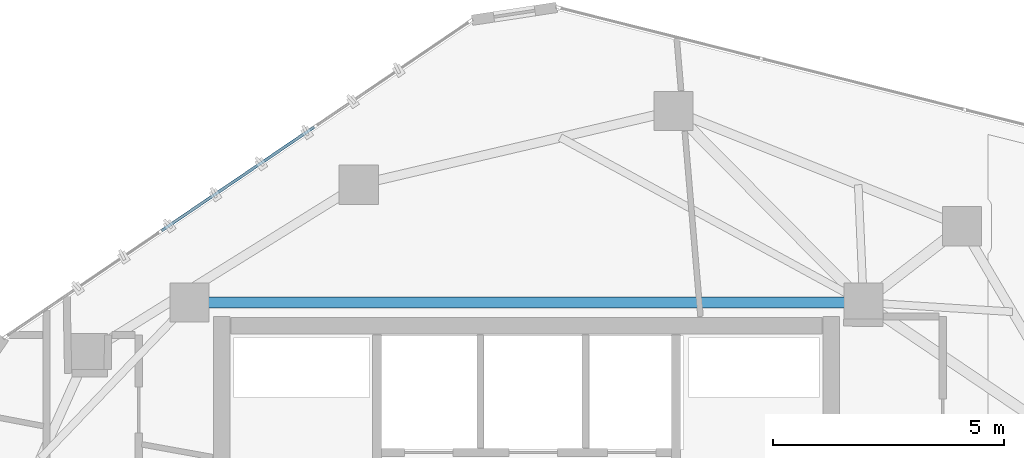
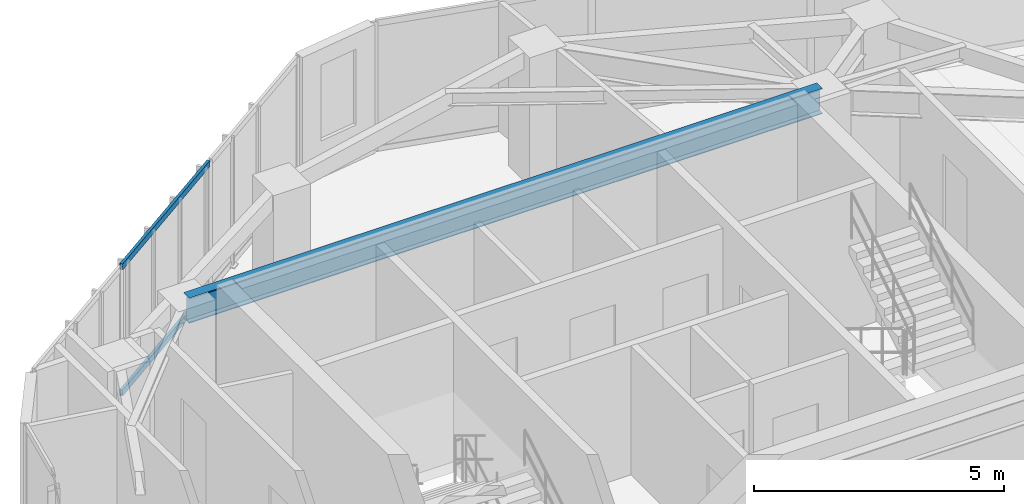
# One storey, part 10 of 20: 2 members, 1 beam, 1 element without a shape of its own.
"""IFC4 building model written with IfcOpenShell, lengths in metres."""

import ifcopenshell
import ifcopenshell.guid

model = None  # the IFC model being written
_history = None  # IfcOwnerHistory: only IFC2X3 demands one
_inside = {}  # id of a spatial element -> (the spatial element, [elements in it])
_under = {}  # id of a project, library or spatial element -> (it, [spatial elements below it])
_declared = {}  # id of a project -> (the project, [libraries it declares])
_typed = {}  # id of a type object -> (the type object, [elements of that type])
_made_of = {}  # id of a material, layer set ... -> (it, [elements and type objects made of it])


def new_model(schema):
    """Start an empty IFC model of exactly this schema.

    Asked for "IFC4X3", IfcOpenShell would pick the latest addendum, in which some entities
    have other attributes; the version numbers below select the first issue.
    IFC2X3 requires an IfcOwnerHistory on every rooted entity: one is made here for all.
    """
    global model, _history
    if schema == "IFC4X3":
        model = ifcopenshell.file(schema_version=(4, 3, 0, 0))
    else:
        model = ifcopenshell.file(schema=schema)
    _inside.clear()
    _under.clear()
    _declared.clear()
    _typed.clear()
    _made_of.clear()
    _history = None
    if model.schema == "IFC2X3":
        org = make("IfcOrganization", Name="unknown")
        user = make(
            "IfcPersonAndOrganization",
            ThePerson=make("IfcPerson", FamilyName="unknown"),
            TheOrganization=org,
        )
        app = make(
            "IfcApplication",
            ApplicationDeveloper=org,
            Version="unknown",
            ApplicationFullName="unknown",
            ApplicationIdentifier="unknown",
        )
        _history = make(
            "IfcOwnerHistory",
            OwningUser=user,
            OwningApplication=app,
            ChangeAction="ADDED",
            CreationDate=0,
        )
    return model


def make(cls, **values):
    """One entity of the class cls with the attributes given. An attribute that is None is left unset."""
    return model.create_entity(
        cls, **{name: value for name, value in values.items() if value is not None}
    )


def rooted(cls, **values):
    """An entity with a GlobalId (a new one), such as an element, a storey or a relation."""
    return make(cls, GlobalId=ifcopenshell.guid.new(), OwnerHistory=_history, **values)


def si_unit(unit_type, name, prefix=None):
    """IfcSIUnit, for example si_unit("LENGTHUNIT", "METRE", prefix="MILLI")."""
    return make("IfcSIUnit", UnitType=unit_type, Prefix=prefix, Name=name)


def assignment(units):
    """IfcUnitAssignment: the units of a project."""
    return None if units is None else make("IfcUnitAssignment", Units=units)


def point(xyz):
    """IfcCartesianPoint."""
    return None if xyz is None else make("IfcCartesianPoint", Coordinates=xyz)


def direction(xyz):
    """IfcDirection."""
    return None if xyz is None else make("IfcDirection", DirectionRatios=xyz)


def frame(location, z_axis=None, x_axis=None):
    """IfcAxis2Placement3D, a coordinate frame: its origin and axes. An axis left out is left unset."""
    return make(
        "IfcAxis2Placement3D",
        Location=point(location),
        Axis=direction(z_axis),
        RefDirection=direction(x_axis),
    )


def frame_2d(location, x_axis=None):
    """IfcAxis2Placement2D, a coordinate frame in the plane: its origin and x axis."""
    return make(
        "IfcAxis2Placement2D", Location=point(location), RefDirection=direction(x_axis)
    )


def origin():
    """The frame at (0, 0, 0) with its axes left unset."""
    return frame((0.0, 0.0, 0.0))


def origin_2d():
    """The frame at (0, 0) in the plane with its x axis left unset."""
    return frame_2d((0.0, 0.0))


def place(relative_to, where):
    """IfcLocalPlacement: puts the frame where relative to a parent placement (None: the world)."""
    return make(
        "IfcLocalPlacement", PlacementRelTo=relative_to, RelativePlacement=where
    )


def context(
    kind, dimensions, precision=None, world=None, true_north=None, identifier=None
):
    """IfcGeometricRepresentationContext, for example the 3D "Model" context."""
    return make(
        "IfcGeometricRepresentationContext",
        ContextIdentifier=identifier,
        ContextType=kind,
        CoordinateSpaceDimension=dimensions,
        Precision=precision,
        WorldCoordinateSystem=world,
        TrueNorth=true_north,
    )


def subcontext(parent, identifier, kind, view, scale=None):
    """IfcGeometricRepresentationSubContext, for example "Body" below "Model"."""
    return make(
        "IfcGeometricRepresentationSubContext",
        ContextIdentifier=identifier,
        ContextType=kind,
        ParentContext=parent,
        TargetScale=scale,
        TargetView=view,
    )


def project(units=None, contexts=None):
    """IfcProject with its units and contexts."""
    return rooted(
        "IfcProject",
        Name="project",
        RepresentationContexts=contexts,
        UnitsInContext=assignment(units),
    )


def spatial(cls, under=None, at=None, **own):
    """A site, building, storey or space (cls), placed at a placement, below another one or the project."""
    s = rooted(cls, ObjectPlacement=at, **own)
    if under is not None:
        _under.setdefault(under.id(), (under, []))[1].append(s)
    return s


def profile(cls, at=None, kind="AREA", **sizes):
    """A parametric profile (cls). Its sizes go by their IFC names, for example OverallWidth=200.0."""
    return make(cls, ProfileType=kind, Position=at, **sizes)


def hollow_rectangle(**sizes):
    """IfcRectangleHollowProfileDef."""
    return profile("IfcRectangleHollowProfileDef", **sizes)


def i_section(**sizes):
    """IfcIShapeProfileDef."""
    return profile("IfcIShapeProfileDef", **sizes)


def extrude(swept, where, along, depth):
    """IfcExtrudedAreaSolid: the profile swept, set in the frame where, extruded along a direction by depth."""
    return make(
        "IfcExtrudedAreaSolid",
        SweptArea=swept,
        Position=where,
        ExtrudedDirection=direction(along),
        Depth=depth,
    )


def shape(context_of_items, identifier, shape_type, items):
    """IfcShapeRepresentation: the items that make up one representation, for example the "Body"."""
    return make(
        "IfcShapeRepresentation",
        ContextOfItems=context_of_items,
        RepresentationIdentifier=identifier,
        RepresentationType=shape_type,
        Items=items,
    )


def source(mapping_origin, context_of_items, identifier, shape_type, items):
    """IfcRepresentationMap: a shape defined once, which mapped items show again and again."""
    return make(
        "IfcRepresentationMap",
        MappingOrigin=mapping_origin,
        MappedRepresentation=shape(context_of_items, identifier, shape_type, items),
    )


def transform(
    local_origin,
    x_axis=None,
    y_axis=None,
    z_axis=None,
    scale=None,
    scale2=None,
    scale3=None,
    uniform=True,
):
    """IfcCartesianTransformationOperator3D, or its non-uniform kind. x_axis, y_axis, z_axis: its Axis1, 2, 3."""
    if uniform:
        return make(
            "IfcCartesianTransformationOperator3D",
            Axis1=direction(x_axis),
            Axis2=direction(y_axis),
            LocalOrigin=point(local_origin),
            Scale=scale,
            Axis3=direction(z_axis),
        )
    return make(
        "IfcCartesianTransformationOperator3DnonUniform",
        Axis1=direction(x_axis),
        Axis2=direction(y_axis),
        LocalOrigin=point(local_origin),
        Scale=scale,
        Axis3=direction(z_axis),
        Scale2=scale2,
        Scale3=scale3,
    )


def mapped(mapping_source, mapping_target):
    """IfcMappedItem: shows the shape of a source again, moved by a transform."""
    return make(
        "IfcMappedItem", MappingSource=mapping_source, MappingTarget=mapping_target
    )


def material(Name=None, Category=None):
    """IfcMaterial."""
    return make("IfcMaterial", Name=Name, Category=Category)


def layer(
    of_material, thickness, ventilated=None, Name=None, Category=None, Priority=None
):
    """IfcMaterialLayer: one layer of a wall or slab, of a material (None: an air gap)."""
    return make(
        "IfcMaterialLayer",
        Material=of_material,
        LayerThickness=thickness,
        IsVentilated=ventilated,
        Name=Name,
        Category=Category,
        Priority=Priority,
    )


def layer_set(layers, Name=None):
    """IfcMaterialLayerSet."""
    return make("IfcMaterialLayerSet", MaterialLayers=layers, LayerSetName=Name)


def material_profile(
    of_material, cross_section, Name=None, Category=None, Priority=None
):
    """IfcMaterialProfile: a cross section and its material."""
    return make(
        "IfcMaterialProfile",
        Name=Name,
        Material=of_material,
        Profile=cross_section,
        Priority=Priority,
        Category=Category,
    )


def profile_set(profiles, Name=None, composite=None):
    """IfcMaterialProfileSet."""
    return make(
        "IfcMaterialProfileSet",
        Name=Name,
        MaterialProfiles=profiles,
        CompositeProfile=composite,
    )


def made_of(thing, what):
    """Note that an element or type object is made of a material, layer set ...; save() writes the relation."""
    if what is not None:
        _made_of.setdefault(what.id(), (what, []))[1].append(thing)
    return thing


def type_object(cls, material=None, **own):
    """A type object (cls), such as IfcWallType, which elements share."""
    return made_of(rooted(cls, **own), material)


def type_shapes(of_type, sources):
    """Give a type object the sources (RepresentationMaps) that its elements show as mapped items."""
    of_type.RepresentationMaps = sources


def element(
    cls,
    number,
    at=None,
    inside=None,
    cuts=None,
    type_object=None,
    material=None,
    context=None,
    identifier="Body",
    shape_type=None,
    held_by="IfcProductDefinitionShape",
    body=None,
    shapes=None,
    **own,
):
    """One element of the class cls, such as IfcWall. Its Tag is "e" and its number.

    at: its placement. inside: the storey or other place that contains it. cuts: it is an
    opening in that element (IfcRelVoidsElement). A single representation is given by context,
    identifier, shape_type and body (its items); several are given by shapes. held_by: the class
    of the entity that holds the representations. save() writes the other relations.
    """
    e = rooted(cls, Tag="e%d" % number, ObjectPlacement=at, **own)
    if body is not None:
        shapes = [shape(context, identifier, shape_type, body)]
    if shapes is not None:
        e.Representation = make(held_by, Representations=shapes)
    if inside is not None:
        _inside.setdefault(inside.id(), (inside, []))[1].append(e)
    if cuts is not None:
        rooted(
            "IfcRelVoidsElement", RelatingBuildingElement=cuts, RelatedOpeningElement=e
        )
    if type_object is not None:
        _typed.setdefault(type_object.id(), (type_object, []))[1].append(e)
    return made_of(e, material)


def aggregate(whole, parts):
    """IfcRelAggregates: a whole, such as a stair, and the parts it consists of."""
    return rooted("IfcRelAggregates", RelatingObject=whole, RelatedObjects=parts)


def save(model, path):
    """Write the relations noted so far, then the file.

    IfcRelAggregates (storeys below a building ...), IfcRelContainedInSpatialStructure (elements
    in a storey), IfcRelDefinesByType, IfcRelAssociatesMaterial and IfcRelDeclares: one each for
    every whole, place, type object, material and project.
    """
    for whole, parts in _under.values():
        aggregate(whole, parts)
    for where, things in _inside.values():
        rooted(
            "IfcRelContainedInSpatialStructure",
            RelatedElements=things,
            RelatingStructure=where,
        )
    for kind, things in _typed.values():
        rooted("IfcRelDefinesByType", RelatedObjects=things, RelatingType=kind)
    for what, things in _made_of.values():
        rooted("IfcRelAssociatesMaterial", RelatedObjects=things, RelatingMaterial=what)
    for by, libraries in _declared.values():
        rooted("IfcRelDeclares", RelatingContext=by, RelatedDefinitions=libraries)
    model.write(path)


model = new_model("IFC4")

# Units and contexts
model_context = context("Model", 3, precision=1e-05, world=origin(), true_north=direction((0.0, 1.0)))
body_context = subcontext(model_context, "Body", "Model", "MODEL_VIEW")
ifc_project = project(units=[si_unit("LENGTHUNIT", "METRE"), si_unit("AREAUNIT", "SQUARE_METRE"), si_unit("VOLUMEUNIT", "CUBIC_METRE"), si_unit("PLANEANGLEUNIT", "RADIAN"), si_unit("MASSUNIT", "GRAM", prefix="KILO")], contexts=[model_context])

# Site, building, storey
site_placement = place(None, origin())
site = spatial("IfcSite", under=ifc_project, at=site_placement, CompositionType="ELEMENT")
building_placement = place(site_placement, origin())
building = spatial("IfcBuilding", under=site, at=building_placement, Name="Talar Marvaseh", CompositionType="ELEMENT")
storey_placement = place(building_placement, frame((0.0, 0.0, 244.199951171875)))
storey = spatial("IfcBuildingStorey", under=building, at=storey_placement, Name="L64", CompositionType="ELEMENT", Elevation=244.199951171875)

# Beam
ifc_material_1 = material(Name="Steel S355", Category="steel")
ifc_material_profile_1 = material_profile(ifc_material_1, i_section(OverallWidth=0.22998046875, OverallDepth=0.616943359375, WebThickness=0.01318359375, FlangeThickness=0.022216796875, at=origin_2d()), Name="W610x140")
ifc_profile_set_1 = profile_set([ifc_material_profile_1], Name="Steel S355")
beam_type = type_object("IfcBeamType", Name="Zone 4 Radial Floor Girder W610x140", PredefinedType="BEAM", material=ifc_profile_set_1)
beam_placement = place(storey_placement, frame((18.699951171875, 36.89990234375, 2.83154296875), z_axis=(1.0, 0.0, 0.0), x_axis=(0.0, 1.0, 0.0)))
element("IfcBeam", 1, at=beam_placement, inside=storey, type_object=beam_type, Name="L64 Zone 4 Radial Floor Girder W610x140", PredefinedType="BEAM", context=body_context, shape_type="SweptSolid", body=[
    extrude(i_section(OverallWidth=0.22998046875, OverallDepth=0.616943359375, WebThickness=0.01318359375, FlangeThickness=0.022216796875, at=origin_2d()), origin(), (0.0, 0.0, 1.0), 14.60009765625),
])

# Curtain wall, members
ifc_material_2 = material(Name="Architectural Aluminium", Category="aluminium")
ifc_layer = layer(ifc_material_2, 0.179931640625)
ifc_layer_set = layer_set([ifc_layer], Name="Architectural Aluminium")
curtain_wall_type = type_object("IfcCurtainWallType", Name="Unitised High-Wind Sky Curtain Wall Z4", PredefinedType="NOTDEFINED", material=ifc_layer_set)
curtain_wall_placement = place(storey_placement, origin())
curtain_wall = element("IfcCurtainWall", 2, at=curtain_wall_placement, inside=storey, type_object=curtain_wall_type, Name="L64 Unitised High-Wind Sky Curtain Wall Z4", PredefinedType="NOTDEFINED")
ifc_material_profile_2 = material_profile(ifc_material_2, hollow_rectangle(XDim=0.06494140625, YDim=0.14990234375, WallThickness=0.00390625, at=origin_2d()), Name="RHS150x65x4")
ifc_profile_set_2 = profile_set([ifc_material_profile_2], Name="Architectural Aluminium")
member_type = type_object("IfcMemberType", Name="Unitised Curtain Wall Slim Transom RHS150x65x4", PredefinedType="USERDEFINED", material=ifc_profile_set_2)
shared_shape = source(origin(), body_context, "Body", "SweptSolid", [
    extrude(hollow_rectangle(XDim=0.06494140625, YDim=0.14990234375, WallThickness=0.00390625, at=origin_2d()), origin(), (0.0, 0.0, 1.0), 4.003662109375),
])
type_shapes(member_type, [shared_shape])
member_1_placement = place(storey_placement, frame((18.091064453125, 38.45361328125, 0.032470703125), z_axis=(0.827263214951, 0.561814536292, 0.0), x_axis=(-0.561814536292, 0.827263214951, 0.0)))
member_1 = element("IfcMember", 3, at=member_1_placement, type_object=member_type, Name="CW-Z4 transom 2.1", ObjectType="TRANSOM", PredefinedType="USERDEFINED", context=body_context, shape_type="MappedRepresentation", body=[
    mapped(shared_shape, transform((0.0, 0.0, 0.0), x_axis=(1.0, 0.0, 0.0), y_axis=(0.0, 1.0, 0.0), z_axis=(0.0, 0.0, 1.0), scale=1.0)),
])
member_2_placement = place(storey_placement, frame((18.091064453125, 38.45361328125, 3.107666015625), z_axis=(0.827263214951, 0.561814536292, 0.0), x_axis=(-0.561814536292, 0.827263214951, 0.0)))
member_2 = element("IfcMember", 4, at=member_2_placement, type_object=member_type, Name="CW-Z4 transom 2.2", ObjectType="TRANSOM", PredefinedType="USERDEFINED", context=body_context, shape_type="MappedRepresentation", body=[
    mapped(shared_shape, transform((0.0, 0.0, 0.0), x_axis=(1.0, 0.0, 0.0), y_axis=(0.0, 1.0, 0.0), z_axis=(0.0, 0.0, 1.0), scale=1.0)),
])
aggregate(curtain_wall, [member_1, member_2])

save(model, "model.ifc")
